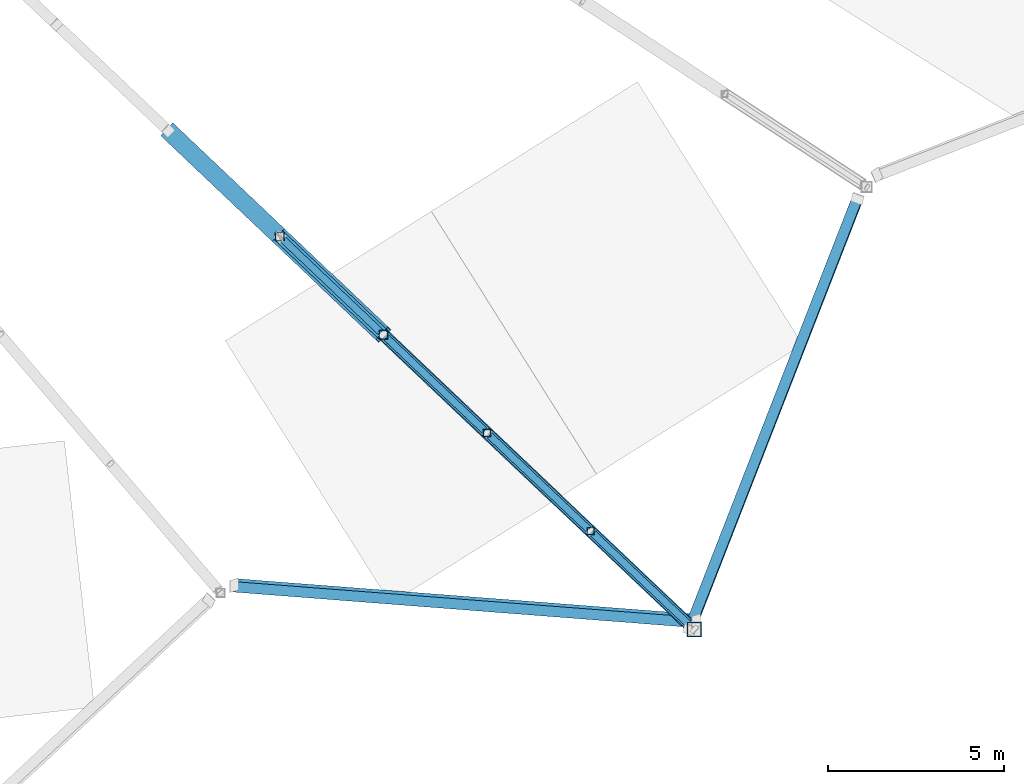
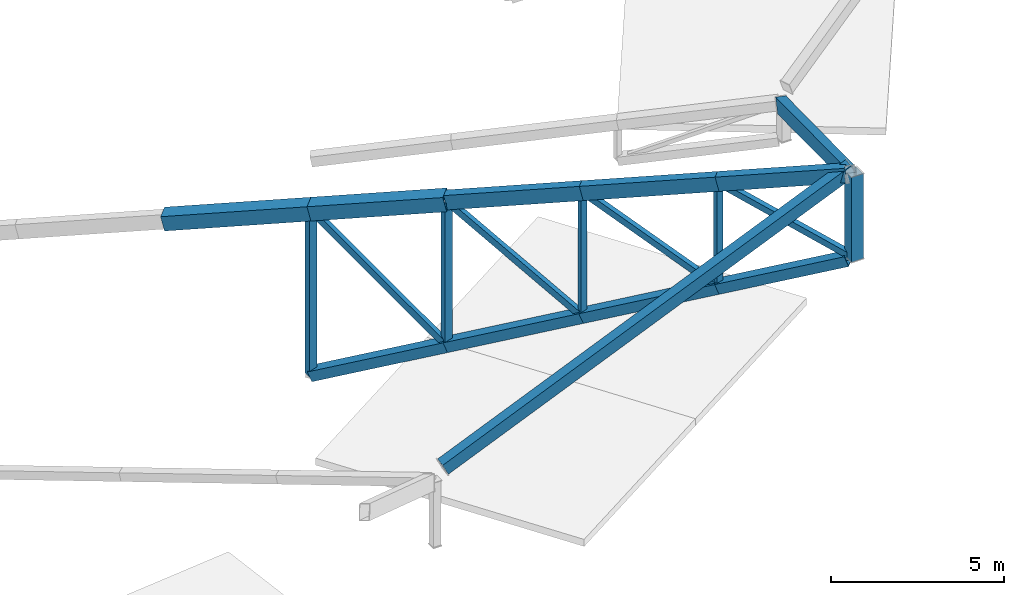
# One storey, part 44 of 188: 18 members, 2 beams.
"""IFC4 building model written with IfcOpenShell, lengths in metres."""

from ifc_helpers import new_model, si_unit, direction, frame, origin, origin_2d, place, context, subcontext, project, spatial, hollow_rectangle, extrude, material, material_profile, profile_set, type_object, element, save


model = new_model("IFC4")

# Units and contexts
model_context = context("Model", 3, precision=1e-05, world=origin(), true_north=direction((0.0, 1.0)))
body_context = subcontext(model_context, "Body", "Model", "MODEL_VIEW")
ifc_project = project(units=[si_unit("LENGTHUNIT", "METRE"), si_unit("AREAUNIT", "SQUARE_METRE"), si_unit("VOLUMEUNIT", "CUBIC_METRE"), si_unit("PLANEANGLEUNIT", "RADIAN"), si_unit("MASSUNIT", "GRAM", prefix="KILO")], contexts=[model_context])

# Site, building, storey
site_placement = place(None, origin())
site = spatial("IfcSite", under=ifc_project, at=site_placement, CompositionType="ELEMENT")
building_placement = place(site_placement, origin())
building = spatial("IfcBuilding", under=site, at=building_placement, Name="Meseta Stadium", CompositionType="ELEMENT")
storey_placement = place(building_placement, frame((0.0, 0.0, 30.0)))
storey = spatial("IfcBuildingStorey", under=building, at=storey_placement, Name="ROOF", CompositionType="ELEMENT", Elevation=30.0)

# Beams
ifc_material_1 = material(Name="Steel S355", Category="steel")
ifc_material_profile_1 = material_profile(ifc_material_1, hollow_rectangle(XDim=0.300048828125, YDim=0.5, WallThickness=0.01611328125, at=origin_2d()), Name="RHS 500x300x16")
ifc_profile_set_1 = profile_set([ifc_material_profile_1], Name="Steel S355")
beam_type = type_object("IfcBeamType", Name="RHS 500x300x16 rim ring beam", PredefinedType="BEAM", material=ifc_profile_set_1)
beam_1_placement = place(storey_placement, frame((62.43994140625, -95.65771484375, 3.81005859375), z_axis=(0.889953759025, -0.068685420863, 0.45084877704), x_axis=(-0.003101078971, 0.987659110654, 0.156588200227)))
element("IfcBeam", 1, at=beam_1_placement, inside=storey, type_object=beam_type, Name="RIM RING BEAM 52", PredefinedType="BEAM", context=body_context, shape_type="SweptSolid", body=[
    extrude(hollow_rectangle(XDim=0.300048828125, YDim=0.5, WallThickness=0.01611328125, at=origin_2d()), origin(), (0.0, 0.0, 1.0), 14.69775390625),
])
beam_2_placement = place(storey_placement, frame((75.3447265625, -96.906982421875, 10.399169921875), z_axis=(0.324261104306, 0.83161791837, -0.450850722612), x_axis=(-0.938856995775, 0.341248257615, -0.045794848615)))
element("IfcBeam", 2, at=beam_2_placement, inside=storey, type_object=beam_type, Name="RIM RING BEAM 53", PredefinedType="BEAM", context=body_context, shape_type="SweptSolid", body=[
    extrude(hollow_rectangle(XDim=0.300048828125, YDim=0.5, WallThickness=0.01611328125, at=origin_2d()), origin(), (0.0, 0.0, 1.0), 14.6728515625),
])

# Members
ifc_material_2 = material(Name="Steel S355", Category="steel")
ifc_material_profile_2 = material_profile(ifc_material_2, hollow_rectangle(XDim=0.300048828125, YDim=0.5, WallThickness=0.01611328125, at=origin_2d()), Name="RHS 500x300x16")
ifc_profile_set_2 = profile_set([ifc_material_profile_2], Name="Steel S355")
member_type_1 = type_object("IfcMemberType", Name="RHS 500x300x16 top chord", PredefinedType="CHORD", material=ifc_profile_set_2)
member_1_placement = place(storey_placement, frame((66.6669921875, -88.555419921875, 7.4619140625), z_axis=(0.704920781954, -0.668516972757, 0.237005798041), x_axis=(0.688122805665, 0.725594242207, 0.0)))
element("IfcMember", 3, at=member_1_placement, inside=storey, type_object=member_type_1, Name="ROOF TRUSS RT-52 top chord", PredefinedType="CHORD", context=body_context, shape_type="SweptSolid", body=[
    extrude(hollow_rectangle(XDim=0.300048828125, YDim=0.5, WallThickness=0.01611328125, at=origin_2d()), origin(), (0.0, 0.0, 1.0), 4.164794921875),
])
member_2_placement = place(storey_placement, frame((69.602783203125, -91.339599609375, 8.448974609375), z_axis=(0.704912854555, -0.668512481806, 0.237042040896), x_axis=(0.688124446124, 0.725592686461, 0.0)))
element("IfcMember", 4, at=member_2_placement, inside=storey, type_object=member_type_1, Name="ROOF TRUSS RT-52 top chord", PredefinedType="CHORD", context=body_context, shape_type="SweptSolid", body=[
    extrude(hollow_rectangle(XDim=0.300048828125, YDim=0.5, WallThickness=0.01611328125, at=origin_2d()), origin(), (0.0, 0.0, 1.0), 4.1650390625),
])
member_3_placement = place(storey_placement, frame((72.538818359375, -94.1240234375, 9.436279296875), z_axis=(0.704844658087, -0.668577207784, 0.237062281264), x_axis=(0.688194569512, 0.725526177676, 0.0)))
element("IfcMember", 5, at=member_3_placement, inside=storey, type_object=member_type_1, Name="ROOF TRUSS RT-52 top chord", PredefinedType="CHORD", context=body_context, shape_type="SweptSolid", body=[
    extrude(hollow_rectangle(XDim=0.300048828125, YDim=0.5, WallThickness=0.01611328125, at=origin_2d()), origin(), (0.0, 0.0, 1.0), 3.96484375),
])
ifc_material_3 = material(Name="Steel S355", Category="steel")
ifc_material_profile_3 = material_profile(ifc_material_3, hollow_rectangle(XDim=0.199951171875, YDim=0.199951171875, WallThickness=0.008056640625, at=origin_2d()), Name="SHS 200x200x8")
ifc_profile_set_3 = profile_set([ifc_material_profile_3], Name="Steel S355")
member_type_2 = type_object("IfcMemberType", Name="SHS 200x200x8 diagonal", PredefinedType="BRACE", material=ifc_profile_set_3)
member_4_placement = place(storey_placement, frame((63.731201171875, -85.77099609375, 6.474609375), z_axis=(0.50803522166, -0.481841305866, -0.713953198406), x_axis=(0.688154572164, 0.725564114886, 0.0)))
element("IfcMember", 6, at=member_4_placement, inside=storey, type_object=member_type_2, Name="ROOF TRUSS RT-52 diagonal", PredefinedType="BRACE", context=body_context, shape_type="SweptSolid", body=[
    extrude(hollow_rectangle(XDim=0.199951171875, YDim=0.199951171875, WallThickness=0.008056640625, at=origin_2d()), origin(), (0.0, 0.0, 1.0), 5.77880859375),
])
member_5_placement = place(storey_placement, frame((66.6669921875, -88.555419921875, 7.4619140625), z_axis=(0.554056851625, -0.52544401962, -0.645700849785), x_axis=(0.688122805665, 0.725594242207, 0.0)))
element("IfcMember", 7, at=member_5_placement, inside=storey, type_object=member_type_2, Name="ROOF TRUSS RT-52 diagonal", PredefinedType="BRACE", context=body_context, shape_type="SweptSolid", body=[
    extrude(hollow_rectangle(XDim=0.199951171875, YDim=0.199951171875, WallThickness=0.008056640625, at=origin_2d()), origin(), (0.0, 0.0, 1.0), 5.298828125),
])
member_6_placement = place(storey_placement, frame((69.602783203125, -91.339599609375, 8.448974609375), z_axis=(0.60239030264, -0.571284001465, -0.55745897872), x_axis=(0.688124446124, 0.725592686461, 0.0)))
element("IfcMember", 8, at=member_6_placement, inside=storey, type_object=member_type_2, Name="ROOF TRUSS RT-52 diagonal", PredefinedType="BRACE", context=body_context, shape_type="SweptSolid", body=[
    extrude(hollow_rectangle(XDim=0.199951171875, YDim=0.199951171875, WallThickness=0.008056640625, at=origin_2d()), origin(), (0.0, 0.0, 1.0), 4.8740234375),
])
member_7_placement = place(storey_placement, frame((72.538818359375, -94.1240234375, 9.436279296875), z_axis=(0.649631692531, -0.616137168675, -0.445369120435), x_axis=(0.688154572164, 0.725564114886, 0.0)))
element("IfcMember", 9, at=member_7_placement, inside=storey, type_object=member_type_2, Name="ROOF TRUSS RT-52 diagonal", PredefinedType="BRACE", context=body_context, shape_type="SweptSolid", body=[
    extrude(hollow_rectangle(XDim=0.199951171875, YDim=0.199951171875, WallThickness=0.008056640625, at=origin_2d()), origin(), (0.0, 0.0, 1.0), 4.51904296875),
])
ifc_material_4 = material(Name="Steel S355", Category="steel")
ifc_material_profile_4 = material_profile(ifc_material_4, hollow_rectangle(XDim=0.199951171875, YDim=0.199951171875, WallThickness=0.008056640625, at=origin_2d()), Name="SHS 200x200x8")
ifc_profile_set_4 = profile_set([ifc_material_profile_4], Name="Steel S355")
member_type_3 = type_object("IfcMemberType", Name="SHS 200x200x8 post", PredefinedType="POST", material=ifc_profile_set_4)
member_8_placement = place(storey_placement, frame((69.602783203125, -91.339599609375, 4.04052734375), z_axis=(0.0, 0.0, 1.0), x_axis=(1.0, 0.0, 0.0)))
element("IfcMember", 10, at=member_8_placement, inside=storey, type_object=member_type_3, Name="ROOF TRUSS RT-52 post", PredefinedType="POST", context=body_context, shape_type="SweptSolid", body=[
    extrude(hollow_rectangle(XDim=0.199951171875, YDim=0.199951171875, WallThickness=0.008056640625, at=origin_2d()), origin(), (0.0, 0.0, 1.0), 4.408447265625),
])
member_9_placement = place(storey_placement, frame((72.538818359375, -94.1240234375, 5.73193359375), z_axis=(0.0, 0.0, 1.0), x_axis=(1.0, 0.0, 0.0)))
element("IfcMember", 11, at=member_9_placement, inside=storey, type_object=member_type_3, Name="ROOF TRUSS RT-52 post", PredefinedType="POST", context=body_context, shape_type="SweptSolid", body=[
    extrude(hollow_rectangle(XDim=0.199951171875, YDim=0.199951171875, WallThickness=0.008056640625, at=origin_2d()), origin(), (0.0, 0.0, 1.0), 3.704345703125),
])
ifc_material_5 = material(Name="Steel S355", Category="steel")
ifc_material_profile_5 = material_profile(ifc_material_5, hollow_rectangle(XDim=0.25, YDim=0.25, WallThickness=0.010009765625, at=origin_2d()), Name="SHS 250x250x10")
ifc_profile_set_5 = profile_set([ifc_material_profile_5], Name="Steel S355")
member_type_4 = type_object("IfcMemberType", Name="SHS 250x250x10 post", PredefinedType="POST", material=ifc_profile_set_5)
member_10_placement = place(storey_placement, frame((63.731201171875, -85.77099609375, 0.657470703125), z_axis=(0.0, 0.0, 1.0), x_axis=(1.0, 0.0, 0.0)))
element("IfcMember", 12, at=member_10_placement, inside=storey, type_object=member_type_4, Name="ROOF TRUSS RT-52 post", PredefinedType="POST", context=body_context, shape_type="SweptSolid", body=[
    extrude(hollow_rectangle(XDim=0.25, YDim=0.25, WallThickness=0.010009765625, at=origin_2d()), origin(), (0.0, 0.0, 1.0), 5.817138671875),
])
member_11_placement = place(storey_placement, frame((66.6669921875, -88.555419921875, 2.348876953125), z_axis=(0.0, 0.0, 1.0), x_axis=(1.0, 0.0, 0.0)))
element("IfcMember", 13, at=member_11_placement, inside=storey, type_object=member_type_4, Name="ROOF TRUSS RT-52 post", PredefinedType="POST", context=body_context, shape_type="SweptSolid", body=[
    extrude(hollow_rectangle(XDim=0.25, YDim=0.25, WallThickness=0.010009765625, at=origin_2d()), origin(), (0.0, 0.0, 1.0), 5.113037109375),
])
ifc_material_6 = material(Name="Steel S355", Category="steel")
ifc_material_profile_6 = material_profile(ifc_material_6, hollow_rectangle(XDim=0.35009765625, YDim=0.35009765625, WallThickness=0.010009765625, at=origin_2d()), Name="SHS 350x350x10")
ifc_profile_set_6 = profile_set([ifc_material_profile_6], Name="Steel S355")
member_type_5 = type_object("IfcMemberType", Name="SHS 350x350x10 bottom chord", PredefinedType="CHORD", material=ifc_profile_set_6)
for number, where, z_axis, x_axis, name in (
    (14, (63.731201171875, -85.77099609375, 0.657470703125), (0.669429052406, -0.634913791492, 0.385680205827), (0.688154572164, 0.725564114886, 0.0), "ROOF TRUSS RT-52 bottom chord"),
    (15, (66.6669921875, -88.555419921875, 2.348876953125), (0.669438338704, -0.634866928448, 0.385741226518), (0.688122805665, 0.725594242207, 0.0), "ROOF TRUSS RT-52 bottom chord"),
):
    element("IfcMember", number, at=place(storey_placement, frame(where, z_axis=z_axis, x_axis=x_axis)), inside=storey, type_object=member_type_5, Name=name, PredefinedType="CHORD", context=body_context, shape_type="SweptSolid", body=[
        extrude(hollow_rectangle(XDim=0.35009765625, YDim=0.35009765625, WallThickness=0.010009765625, at=origin_2d()), origin(), (0.0, 0.0, 1.0), 4.385498046875),
    ])
member_12_placement = place(storey_placement, frame((69.602783203125, -91.339599609375, 4.04052734375), z_axis=(0.669459772876, -0.634890130521, 0.385665832902), x_axis=(0.688124446124, 0.725592686461, 0.0)))
element("IfcMember", 16, at=member_12_placement, inside=storey, type_object=member_type_5, Name="ROOF TRUSS RT-52 bottom chord", PredefinedType="CHORD", context=body_context, shape_type="SweptSolid", body=[
    extrude(hollow_rectangle(XDim=0.35009765625, YDim=0.35009765625, WallThickness=0.010009765625, at=origin_2d()), origin(), (0.0, 0.0, 1.0), 4.3857421875),
])
member_13_placement = place(storey_placement, frame((72.538818359375, -94.1240234375, 5.73193359375), z_axis=(0.669392312695, -0.634919425208, 0.385734695351), x_axis=(0.688177669316, 0.725542207907, 0.0)))
element("IfcMember", 17, at=member_13_placement, inside=storey, type_object=member_type_5, Name="ROOF TRUSS RT-52 bottom chord", PredefinedType="CHORD", context=body_context, shape_type="SweptSolid", body=[
    extrude(hollow_rectangle(XDim=0.35009765625, YDim=0.35009765625, WallThickness=0.010009765625, at=origin_2d()), origin(), (0.0, 0.0, 1.0), 4.185546875),
])
ifc_material_7 = material(Name="Steel S355", Category="steel")
ifc_material_profile_7 = material_profile(ifc_material_7, hollow_rectangle(XDim=0.39990234375, YDim=0.39990234375, WallThickness=0.01416015625, at=origin_2d()), Name="SHS 400x400x14.2")
ifc_profile_set_7 = profile_set([ifc_material_profile_7], Name="Steel S355")
member_type_6 = type_object("IfcMemberType", Name="SHS 400x400x14.2 rim post", PredefinedType="POST", material=ifc_profile_set_7)
member_14_placement = place(storey_placement, frame((75.474609375, -96.908447265625, 7.423583984375), z_axis=(0.0, 0.0, 1.0), x_axis=(1.0, 0.0, 0.0)))
element("IfcMember", 18, at=member_14_placement, inside=storey, type_object=member_type_6, Name="ROOF TRUSS RT-52 post", PredefinedType="POST", context=body_context, shape_type="SweptSolid", body=[
    extrude(hollow_rectangle(XDim=0.39990234375, YDim=0.39990234375, WallThickness=0.01416015625, at=origin_2d()), origin(), (0.0, 0.0, 1.0), 3.0),
])
ifc_material_8 = material(Name="Steel S355", Category="steel")
ifc_material_profile_8 = material_profile(ifc_material_8, hollow_rectangle(XDim=0.5, YDim=0.5, WallThickness=0.01611328125, at=origin_2d()), Name="SHS 500x500x16")
ifc_profile_set_8 = profile_set([ifc_material_profile_8], Name="Steel S355")
member_type_7 = type_object("IfcMemberType", Name="SHS 500x500x16 top chord", PredefinedType="CHORD", material=ifc_profile_set_8)
member_15_placement = place(storey_placement, frame((60.565673828125, -82.7685546875, 5.41015625), z_axis=(0.704874269384, -0.668559599328, 0.237023894379), x_axis=(0.688169809663, 0.725549662717, 0.0)))
element("IfcMember", 19, at=member_15_placement, inside=storey, type_object=member_type_7, Name="ROOF TRUSS RT-52 top chord", PredefinedType="CHORD", context=body_context, shape_type="SweptSolid", body=[
    extrude(hollow_rectangle(XDim=0.5, YDim=0.5, WallThickness=0.01611328125, at=origin_2d()), origin(), (0.0, 0.0, 1.0), 4.490966796875),
])
member_16_placement = place(storey_placement, frame((63.731201171875, -85.77099609375, 6.474609375), z_axis=(0.704883363275, -0.668540104628, 0.237051835433), x_axis=(0.688154572164, 0.725564114886, 0.0)))
element("IfcMember", 20, at=member_16_placement, inside=storey, type_object=member_type_7, Name="ROOF TRUSS RT-52 top chord", PredefinedType="CHORD", context=body_context, shape_type="SweptSolid", body=[
    extrude(hollow_rectangle(XDim=0.5, YDim=0.5, WallThickness=0.01611328125, at=origin_2d()), origin(), (0.0, 0.0, 1.0), 4.1650390625),
])

save(model, "model.ifc")
